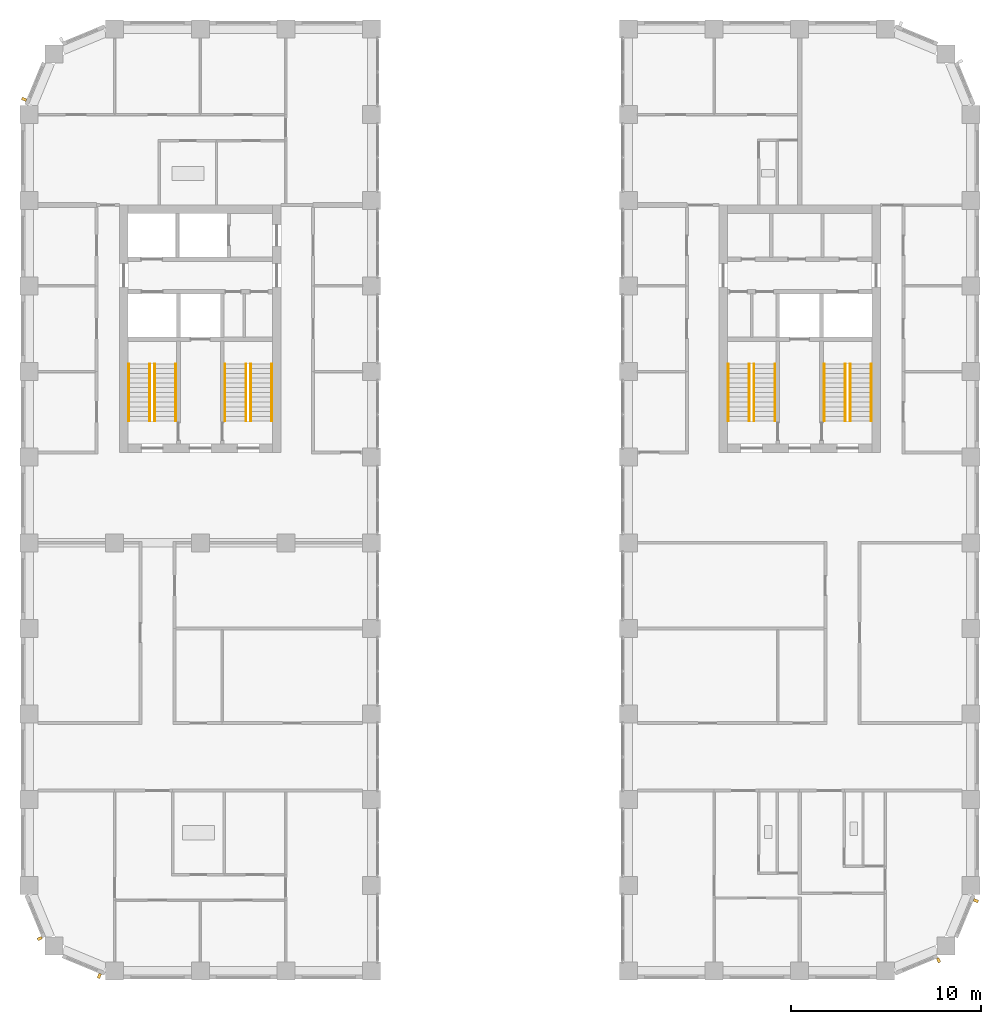
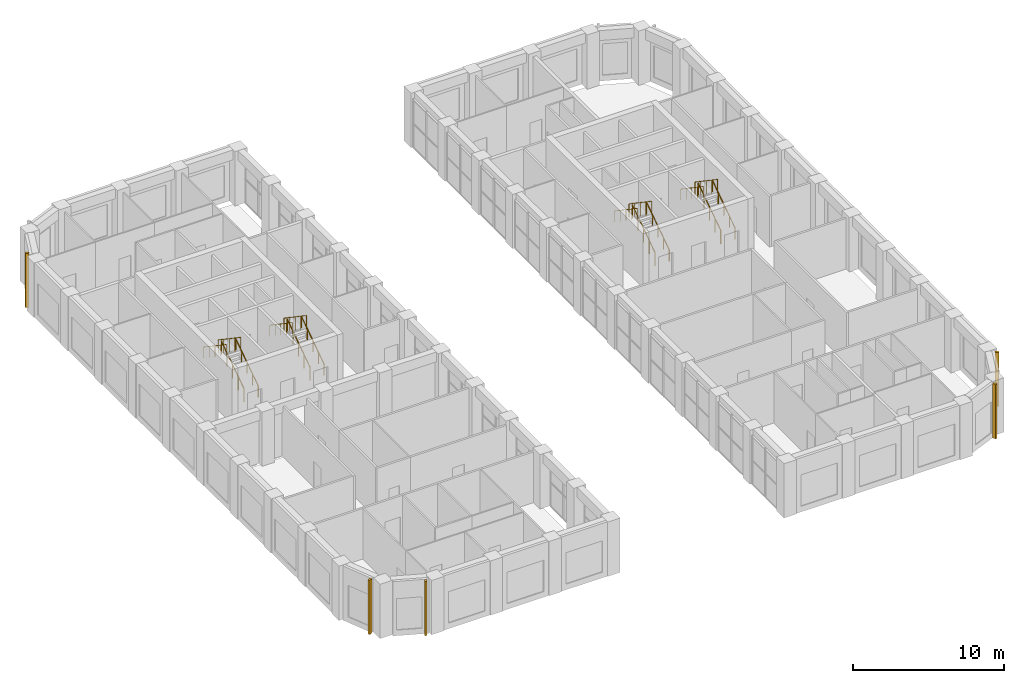
# One storey, part 17 of 19: 16 railings, 5 shading devices.
"""IFC4 building model written with IfcOpenShell, lengths in metres."""

from ifc_helpers import new_model, si_unit, direction, frame, origin, origin_2d, place, context, subcontext, project, spatial, rectangle, circle, extrude, material, type_object, element, save


model = new_model("IFC4")

# Units and contexts
model_context = context("Model", 3, precision=1e-05, world=origin(), true_north=direction((0.0, 1.0)))
body_context = subcontext(model_context, "Body", "Model", "MODEL_VIEW")
ifc_project = project(units=[si_unit("LENGTHUNIT", "METRE"), si_unit("AREAUNIT", "SQUARE_METRE"), si_unit("VOLUMEUNIT", "CUBIC_METRE"), si_unit("PLANEANGLEUNIT", "RADIAN"), si_unit("MASSUNIT", "GRAM", prefix="KILO")], contexts=[model_context])

# Site, building, storey
site_placement = place(None, origin())
site = spatial("IfcSite", under=ifc_project, at=site_placement, CompositionType="ELEMENT")
building_placement = place(site_placement, origin())
building = spatial("IfcBuilding", under=site, at=building_placement, Name="Girih Gate Residences", CompositionType="ELEMENT")
storey_placement = place(building_placement, frame((0.0, 0.0, 163.800048828125)))
storey = spatial("IfcBuildingStorey", under=building, at=storey_placement, Name="L45", CompositionType="ELEMENT", Elevation=163.800048828125)

# Shading devices
ifc_material_1 = material(Name="Precast concrete C50/60", Category="concrete")
shading_device_type = type_object("IfcShadingDeviceType", Name="Corner rib 150x250", PredefinedType="USERDEFINED", material=ifc_material_1)
for number, where, z_axis, x_axis, name in (
    (1, (-0.260498046875, 45.808349609375, 0.0), (0.0, 0.0, 1.0), (-0.382683432365, -0.923879532511, 0.0), "Corner rib NW0013_0482.0"),
    (2, (0.562255859375, 1.705322265625, 0.0), (0.0, 0.0, 1.0), (0.382683432365, -0.923879532511, 0.0), "Corner rib SW0000_0045.0"),
    (3, (3.691650390625, -0.260498046875, 0.0), (0.0, 0.0, 1.0), (0.923879532511, -0.382683432365, 0.0), "Corner rib SW0013_0013.0"),
    (4, (47.794677734375, 0.562255859375, 0.0), (0.0, 0.0, 1.0), (0.923879532511, 0.382683432365, 0.0), "Corner rib SE0450_0000.0"),
    (5, (49.760498046875, 3.691650390625, 0.0), (0.0, 0.0, 1.0), (0.382683432365, 0.923879532511, 0.0), "Corner rib SE0482_0013.0"),
):
    element("IfcShadingDevice", number, at=place(storey_placement, frame(where, z_axis=z_axis, x_axis=x_axis)), inside=storey, type_object=shading_device_type, Name=name, ObjectType="FIN", PredefinedType="USERDEFINED", context=body_context, shape_type="SweptSolid", body=[
        extrude(rectangle(XDim=0.14990234375, YDim=0.25, at=origin_2d()), origin(), (0.0, 0.0, 1.0), 4.39990234375),
    ])

# Railings
ifc_material_2 = material(Name="Stainless steel", Category="steel")
railing_type_1 = type_object("IfcRailingType", Name="Stair guard 1100", PredefinedType="GUARDRAIL", material=ifc_material_2)
railing_1_placement = place(storey_placement, frame((6.60009765625, 28.89990234375, 0.169189453125)))
element("IfcRailing", 6, at=railing_1_placement, inside=storey, type_object=railing_type_1, Name="L45 ST-W1 stair guard 1", PredefinedType="GUARDRAIL", context=body_context, shape_type="SweptSolid", body=[
    extrude(circle(Radius=0.02392578125, at=origin_2d()), frame((0.0, 0.0, 1.076171875), z_axis=(0.0, 0.828110434718, 0.560564989908), x_axis=(-1.0, 0.0, 0.0)), (0.0, 0.0, 1.0), 3.622802734375),
    extrude(circle(Radius=0.02099609375, at=origin_2d()), origin(), (0.0, 0.0, 1.0), 1.052001953125),
    extrude(circle(Radius=0.02099609375, at=origin_2d()), frame((0.0, 0.75, 0.5078125)), (0.0, 0.0, 1.0), 1.052001953125),
    extrude(circle(Radius=0.02099609375, at=origin_2d()), frame((0.0, 1.5, 1.015380859375)), (0.0, 0.0, 1.0), 1.052001953125),
    extrude(circle(Radius=0.02099609375, at=origin_2d()), frame((0.0, 2.25, 1.52294921875)), (0.0, 0.0, 1.0), 1.052001953125),
    extrude(circle(Radius=0.02099609375, at=origin_2d()), frame((0.0, 3.0, 2.03076171875)), (0.0, 0.0, 1.0), 1.052001953125),
])
railing_2_placement = place(storey_placement, frame((6.35009765625, 31.89990234375, 2.369140625)))
element("IfcRailing", 7, at=railing_2_placement, inside=storey, type_object=railing_type_1, Name="L45 ST-W1 stair guard 2", PredefinedType="GUARDRAIL", context=body_context, shape_type="SweptSolid", body=[
    extrude(circle(Radius=0.02392578125, at=origin_2d()), frame((0.0, 0.0, 1.076171875), z_axis=(0.0, -0.828110434718, 0.560564989908), x_axis=(1.0, 0.0, 0.0)), (0.0, 0.0, 1.0), 3.622802734375),
    extrude(circle(Radius=0.02099609375, at=origin_2d()), origin(), (0.0, 0.0, 1.0), 1.052001953125),
    extrude(circle(Radius=0.02099609375, at=origin_2d()), frame((0.0, -0.75, 0.5078125)), (0.0, 0.0, 1.0), 1.052001953125),
    extrude(circle(Radius=0.02099609375, at=origin_2d()), frame((0.0, -1.5, 1.015380859375)), (0.0, 0.0, 1.0), 1.052001953125),
    extrude(circle(Radius=0.02099609375, at=origin_2d()), frame((0.0, -2.25, 1.52294921875)), (0.0, 0.0, 1.0), 1.052001953125),
    extrude(circle(Radius=0.02099609375, at=origin_2d()), frame((0.0, -3.0, 2.03076171875)), (0.0, 0.0, 1.0), 1.052001953125),
])
railing_3_placement = place(storey_placement, frame((11.64990234375, 28.89990234375, 0.169189453125)))
element("IfcRailing", 8, at=railing_3_placement, inside=storey, type_object=railing_type_1, Name="L45 ST-W2 stair guard 1", PredefinedType="GUARDRAIL", context=body_context, shape_type="SweptSolid", body=[
    extrude(circle(Radius=0.02392578125, at=origin_2d()), frame((0.0, 0.0, 1.076171875), z_axis=(0.0, 0.828110434718, 0.560564989908), x_axis=(-1.0, 0.0, 0.0)), (0.0, 0.0, 1.0), 3.622802734375),
    extrude(circle(Radius=0.02099609375, at=origin_2d()), origin(), (0.0, 0.0, 1.0), 1.052001953125),
    extrude(circle(Radius=0.02099609375, at=origin_2d()), frame((0.0, 0.75, 0.5078125)), (0.0, 0.0, 1.0), 1.052001953125),
    extrude(circle(Radius=0.02099609375, at=origin_2d()), frame((0.0, 1.5, 1.015380859375)), (0.0, 0.0, 1.0), 1.052001953125),
    extrude(circle(Radius=0.02099609375, at=origin_2d()), frame((0.0, 2.25, 1.52294921875)), (0.0, 0.0, 1.0), 1.052001953125),
    extrude(circle(Radius=0.02099609375, at=origin_2d()), frame((0.0, 3.0, 2.03076171875)), (0.0, 0.0, 1.0), 1.052001953125),
])
railing_4_placement = place(storey_placement, frame((11.39990234375, 31.89990234375, 2.369140625)))
element("IfcRailing", 9, at=railing_4_placement, inside=storey, type_object=railing_type_1, Name="L45 ST-W2 stair guard 2", PredefinedType="GUARDRAIL", context=body_context, shape_type="SweptSolid", body=[
    extrude(circle(Radius=0.02392578125, at=origin_2d()), frame((0.0, 0.0, 1.076171875), z_axis=(0.0, -0.828110434718, 0.560564989908), x_axis=(1.0, 0.0, 0.0)), (0.0, 0.0, 1.0), 3.622802734375),
    extrude(circle(Radius=0.02099609375, at=origin_2d()), origin(), (0.0, 0.0, 1.0), 1.052001953125),
    extrude(circle(Radius=0.02099609375, at=origin_2d()), frame((0.0, -0.75, 0.5078125)), (0.0, 0.0, 1.0), 1.052001953125),
    extrude(circle(Radius=0.02099609375, at=origin_2d()), frame((0.0, -1.5, 1.015380859375)), (0.0, 0.0, 1.0), 1.052001953125),
    extrude(circle(Radius=0.02099609375, at=origin_2d()), frame((0.0, -2.25, 1.52294921875)), (0.0, 0.0, 1.0), 1.052001953125),
    extrude(circle(Radius=0.02099609375, at=origin_2d()), frame((0.0, -3.0, 2.03076171875)), (0.0, 0.0, 1.0), 1.052001953125),
])
railing_5_placement = place(storey_placement, frame((43.14990234375, 28.89990234375, 0.169189453125)))
element("IfcRailing", 10, at=railing_5_placement, inside=storey, type_object=railing_type_1, Name="L45 ST-E1 stair guard 1", PredefinedType="GUARDRAIL", context=body_context, shape_type="SweptSolid", body=[
    extrude(circle(Radius=0.02392578125, at=origin_2d()), frame((0.0, 0.0, 1.076171875), z_axis=(0.0, 0.828110434718, 0.560564989908), x_axis=(-1.0, 0.0, 0.0)), (0.0, 0.0, 1.0), 3.622802734375),
    extrude(circle(Radius=0.02099609375, at=origin_2d()), origin(), (0.0, 0.0, 1.0), 1.052001953125),
    extrude(circle(Radius=0.02099609375, at=origin_2d()), frame((0.0, 0.75, 0.5078125)), (0.0, 0.0, 1.0), 1.052001953125),
    extrude(circle(Radius=0.02099609375, at=origin_2d()), frame((0.0, 1.5, 1.015380859375)), (0.0, 0.0, 1.0), 1.052001953125),
    extrude(circle(Radius=0.02099609375, at=origin_2d()), frame((0.0, 2.25, 1.52294921875)), (0.0, 0.0, 1.0), 1.052001953125),
    extrude(circle(Radius=0.02099609375, at=origin_2d()), frame((0.0, 3.0, 2.03076171875)), (0.0, 0.0, 1.0), 1.052001953125),
])
railing_6_placement = place(storey_placement, frame((42.89990234375, 31.89990234375, 2.369140625)))
element("IfcRailing", 11, at=railing_6_placement, inside=storey, type_object=railing_type_1, Name="L45 ST-E1 stair guard 2", PredefinedType="GUARDRAIL", context=body_context, shape_type="SweptSolid", body=[
    extrude(circle(Radius=0.02392578125, at=origin_2d()), frame((0.0, 0.0, 1.076171875), z_axis=(0.0, -0.828110434718, 0.560564989908), x_axis=(1.0, 0.0, 0.0)), (0.0, 0.0, 1.0), 3.622802734375),
    extrude(circle(Radius=0.02099609375, at=origin_2d()), origin(), (0.0, 0.0, 1.0), 1.052001953125),
    extrude(circle(Radius=0.02099609375, at=origin_2d()), frame((0.0, -0.75, 0.5078125)), (0.0, 0.0, 1.0), 1.052001953125),
    extrude(circle(Radius=0.02099609375, at=origin_2d()), frame((0.0, -1.5, 1.015380859375)), (0.0, 0.0, 1.0), 1.052001953125),
    extrude(circle(Radius=0.02099609375, at=origin_2d()), frame((0.0, -2.25, 1.52294921875)), (0.0, 0.0, 1.0), 1.052001953125),
    extrude(circle(Radius=0.02099609375, at=origin_2d()), frame((0.0, -3.0, 2.03076171875)), (0.0, 0.0, 1.0), 1.052001953125),
])
railing_7_placement = place(storey_placement, frame((38.10009765625, 28.89990234375, 0.169189453125)))
element("IfcRailing", 12, at=railing_7_placement, inside=storey, type_object=railing_type_1, Name="L45 ST-E2 stair guard 1", PredefinedType="GUARDRAIL", context=body_context, shape_type="SweptSolid", body=[
    extrude(circle(Radius=0.02392578125, at=origin_2d()), frame((0.0, 0.0, 1.076171875), z_axis=(0.0, 0.828110434718, 0.560564989908), x_axis=(-1.0, 0.0, 0.0)), (0.0, 0.0, 1.0), 3.622802734375),
    extrude(circle(Radius=0.02099609375, at=origin_2d()), origin(), (0.0, 0.0, 1.0), 1.052001953125),
    extrude(circle(Radius=0.02099609375, at=origin_2d()), frame((0.0, 0.75, 0.5078125)), (0.0, 0.0, 1.0), 1.052001953125),
    extrude(circle(Radius=0.02099609375, at=origin_2d()), frame((0.0, 1.5, 1.015380859375)), (0.0, 0.0, 1.0), 1.052001953125),
    extrude(circle(Radius=0.02099609375, at=origin_2d()), frame((0.0, 2.25, 1.52294921875)), (0.0, 0.0, 1.0), 1.052001953125),
    extrude(circle(Radius=0.02099609375, at=origin_2d()), frame((0.0, 3.0, 2.03076171875)), (0.0, 0.0, 1.0), 1.052001953125),
])
railing_8_placement = place(storey_placement, frame((37.85009765625, 31.89990234375, 2.369140625)))
element("IfcRailing", 13, at=railing_8_placement, inside=storey, type_object=railing_type_1, Name="L45 ST-E2 stair guard 2", PredefinedType="GUARDRAIL", context=body_context, shape_type="SweptSolid", body=[
    extrude(circle(Radius=0.02392578125, at=origin_2d()), frame((0.0, 0.0, 1.076171875), z_axis=(0.0, -0.828110434718, 0.560564989908), x_axis=(1.0, 0.0, 0.0)), (0.0, 0.0, 1.0), 3.622802734375),
    extrude(circle(Radius=0.02099609375, at=origin_2d()), origin(), (0.0, 0.0, 1.0), 1.052001953125),
    extrude(circle(Radius=0.02099609375, at=origin_2d()), frame((0.0, -0.75, 0.5078125)), (0.0, 0.0, 1.0), 1.052001953125),
    extrude(circle(Radius=0.02099609375, at=origin_2d()), frame((0.0, -1.5, 1.015380859375)), (0.0, 0.0, 1.0), 1.052001953125),
    extrude(circle(Radius=0.02099609375, at=origin_2d()), frame((0.0, -2.25, 1.52294921875)), (0.0, 0.0, 1.0), 1.052001953125),
    extrude(circle(Radius=0.02099609375, at=origin_2d()), frame((0.0, -3.0, 2.03076171875)), (0.0, 0.0, 1.0), 1.052001953125),
])
railing_type_2 = type_object("IfcRailingType", Name="Stair handrail 900", PredefinedType="HANDRAIL", material=ifc_material_2)
railing_9_placement = place(storey_placement, frame((7.699951171875, 28.89990234375, 0.169189453125)))
element("IfcRailing", 14, at=railing_9_placement, inside=storey, type_object=railing_type_2, Name="L45 ST-W1 stair handrail 1", PredefinedType="HANDRAIL", context=body_context, shape_type="SweptSolid", body=[
    extrude(circle(Radius=0.02392578125, at=origin_2d()), frame((0.0, 0.0, 0.8857421875), z_axis=(0.0, 0.828110434718, 0.560564989908), x_axis=(-1.0, 0.0, 0.0)), (0.0, 0.0, 1.0), 3.622802734375),
    extrude(circle(Radius=0.02099609375, at=origin_2d()), origin(), (0.0, 0.0, 1.0), 0.86181640625),
    extrude(circle(Radius=0.02099609375, at=origin_2d()), frame((0.0, 0.75, 0.5078125)), (0.0, 0.0, 1.0), 0.86181640625),
    extrude(circle(Radius=0.02099609375, at=origin_2d()), frame((0.0, 1.5, 1.015380859375)), (0.0, 0.0, 1.0), 0.86181640625),
    extrude(circle(Radius=0.02099609375, at=origin_2d()), frame((0.0, 2.25, 1.52294921875)), (0.0, 0.0, 1.0), 0.86181640625),
    extrude(circle(Radius=0.02099609375, at=origin_2d()), frame((0.0, 3.0, 2.03076171875)), (0.0, 0.0, 1.0), 0.86181640625),
])
railing_10_placement = place(storey_placement, frame((5.25, 31.89990234375, 2.369140625)))
element("IfcRailing", 15, at=railing_10_placement, inside=storey, type_object=railing_type_2, Name="L45 ST-W1 stair handrail 2", PredefinedType="HANDRAIL", context=body_context, shape_type="SweptSolid", body=[
    extrude(circle(Radius=0.02392578125, at=origin_2d()), frame((0.0, 0.0, 0.8857421875), z_axis=(0.0, -0.828110434718, 0.560564989908), x_axis=(1.0, 0.0, 0.0)), (0.0, 0.0, 1.0), 3.622802734375),
    extrude(circle(Radius=0.02099609375, at=origin_2d()), origin(), (0.0, 0.0, 1.0), 0.86181640625),
    extrude(circle(Radius=0.02099609375, at=origin_2d()), frame((0.0, -0.75, 0.5078125)), (0.0, 0.0, 1.0), 0.86181640625),
    extrude(circle(Radius=0.02099609375, at=origin_2d()), frame((0.0, -1.5, 1.015380859375)), (0.0, 0.0, 1.0), 0.86181640625),
    extrude(circle(Radius=0.02099609375, at=origin_2d()), frame((0.0, -2.25, 1.52294921875)), (0.0, 0.0, 1.0), 0.86181640625),
    extrude(circle(Radius=0.02099609375, at=origin_2d()), frame((0.0, -3.0, 2.03076171875)), (0.0, 0.0, 1.0), 0.86181640625),
])
railing_11_placement = place(storey_placement, frame((12.75, 28.89990234375, 0.169189453125)))
element("IfcRailing", 16, at=railing_11_placement, inside=storey, type_object=railing_type_2, Name="L45 ST-W2 stair handrail 1", PredefinedType="HANDRAIL", context=body_context, shape_type="SweptSolid", body=[
    extrude(circle(Radius=0.02392578125, at=origin_2d()), frame((0.0, 0.0, 0.8857421875), z_axis=(0.0, 0.828110434718, 0.560564989908), x_axis=(-1.0, 0.0, 0.0)), (0.0, 0.0, 1.0), 3.622802734375),
    extrude(circle(Radius=0.02099609375, at=origin_2d()), origin(), (0.0, 0.0, 1.0), 0.86181640625),
    extrude(circle(Radius=0.02099609375, at=origin_2d()), frame((0.0, 0.75, 0.5078125)), (0.0, 0.0, 1.0), 0.86181640625),
    extrude(circle(Radius=0.02099609375, at=origin_2d()), frame((0.0, 1.5, 1.015380859375)), (0.0, 0.0, 1.0), 0.86181640625),
    extrude(circle(Radius=0.02099609375, at=origin_2d()), frame((0.0, 2.25, 1.52294921875)), (0.0, 0.0, 1.0), 0.86181640625),
    extrude(circle(Radius=0.02099609375, at=origin_2d()), frame((0.0, 3.0, 2.03076171875)), (0.0, 0.0, 1.0), 0.86181640625),
])
railing_12_placement = place(storey_placement, frame((10.300048828125, 31.89990234375, 2.369140625)))
element("IfcRailing", 17, at=railing_12_placement, inside=storey, type_object=railing_type_2, Name="L45 ST-W2 stair handrail 2", PredefinedType="HANDRAIL", context=body_context, shape_type="SweptSolid", body=[
    extrude(circle(Radius=0.02392578125, at=origin_2d()), frame((0.0, 0.0, 0.8857421875), z_axis=(0.0, -0.828110434718, 0.560564989908), x_axis=(1.0, 0.0, 0.0)), (0.0, 0.0, 1.0), 3.622802734375),
    extrude(circle(Radius=0.02099609375, at=origin_2d()), origin(), (0.0, 0.0, 1.0), 0.86181640625),
    extrude(circle(Radius=0.02099609375, at=origin_2d()), frame((0.0, -0.75, 0.5078125)), (0.0, 0.0, 1.0), 0.86181640625),
    extrude(circle(Radius=0.02099609375, at=origin_2d()), frame((0.0, -1.5, 1.015380859375)), (0.0, 0.0, 1.0), 0.86181640625),
    extrude(circle(Radius=0.02099609375, at=origin_2d()), frame((0.0, -2.25, 1.52294921875)), (0.0, 0.0, 1.0), 0.86181640625),
    extrude(circle(Radius=0.02099609375, at=origin_2d()), frame((0.0, -3.0, 2.03076171875)), (0.0, 0.0, 1.0), 0.86181640625),
])
railing_13_placement = place(storey_placement, frame((44.25, 28.89990234375, 0.169189453125)))
element("IfcRailing", 18, at=railing_13_placement, inside=storey, type_object=railing_type_2, Name="L45 ST-E1 stair handrail 1", PredefinedType="HANDRAIL", context=body_context, shape_type="SweptSolid", body=[
    extrude(circle(Radius=0.02392578125, at=origin_2d()), frame((0.0, 0.0, 0.8857421875), z_axis=(0.0, 0.828110434718, 0.560564989908), x_axis=(-1.0, 0.0, 0.0)), (0.0, 0.0, 1.0), 3.622802734375),
    extrude(circle(Radius=0.02099609375, at=origin_2d()), origin(), (0.0, 0.0, 1.0), 0.86181640625),
    extrude(circle(Radius=0.02099609375, at=origin_2d()), frame((0.0, 0.75, 0.5078125)), (0.0, 0.0, 1.0), 0.86181640625),
    extrude(circle(Radius=0.02099609375, at=origin_2d()), frame((0.0, 1.5, 1.015380859375)), (0.0, 0.0, 1.0), 0.86181640625),
    extrude(circle(Radius=0.02099609375, at=origin_2d()), frame((0.0, 2.25, 1.52294921875)), (0.0, 0.0, 1.0), 0.86181640625),
    extrude(circle(Radius=0.02099609375, at=origin_2d()), frame((0.0, 3.0, 2.03076171875)), (0.0, 0.0, 1.0), 0.86181640625),
])
railing_14_placement = place(storey_placement, frame((41.800048828125, 31.89990234375, 2.369140625)))
element("IfcRailing", 19, at=railing_14_placement, inside=storey, type_object=railing_type_2, Name="L45 ST-E1 stair handrail 2", PredefinedType="HANDRAIL", context=body_context, shape_type="SweptSolid", body=[
    extrude(circle(Radius=0.02392578125, at=origin_2d()), frame((0.0, 0.0, 0.8857421875), z_axis=(0.0, -0.828110434718, 0.560564989908), x_axis=(1.0, 0.0, 0.0)), (0.0, 0.0, 1.0), 3.622802734375),
    extrude(circle(Radius=0.02099609375, at=origin_2d()), origin(), (0.0, 0.0, 1.0), 0.86181640625),
    extrude(circle(Radius=0.02099609375, at=origin_2d()), frame((0.0, -0.75, 0.5078125)), (0.0, 0.0, 1.0), 0.86181640625),
    extrude(circle(Radius=0.02099609375, at=origin_2d()), frame((0.0, -1.5, 1.015380859375)), (0.0, 0.0, 1.0), 0.86181640625),
    extrude(circle(Radius=0.02099609375, at=origin_2d()), frame((0.0, -2.25, 1.52294921875)), (0.0, 0.0, 1.0), 0.86181640625),
    extrude(circle(Radius=0.02099609375, at=origin_2d()), frame((0.0, -3.0, 2.03076171875)), (0.0, 0.0, 1.0), 0.86181640625),
])
railing_15_placement = place(storey_placement, frame((39.199951171875, 28.89990234375, 0.169189453125)))
element("IfcRailing", 20, at=railing_15_placement, inside=storey, type_object=railing_type_2, Name="L45 ST-E2 stair handrail 1", PredefinedType="HANDRAIL", context=body_context, shape_type="SweptSolid", body=[
    extrude(circle(Radius=0.02392578125, at=origin_2d()), frame((0.0, 0.0, 0.8857421875), z_axis=(0.0, 0.828110434718, 0.560564989908), x_axis=(-1.0, 0.0, 0.0)), (0.0, 0.0, 1.0), 3.622802734375),
    extrude(circle(Radius=0.02099609375, at=origin_2d()), origin(), (0.0, 0.0, 1.0), 0.86181640625),
    extrude(circle(Radius=0.02099609375, at=origin_2d()), frame((0.0, 0.75, 0.5078125)), (0.0, 0.0, 1.0), 0.86181640625),
    extrude(circle(Radius=0.02099609375, at=origin_2d()), frame((0.0, 1.5, 1.015380859375)), (0.0, 0.0, 1.0), 0.86181640625),
    extrude(circle(Radius=0.02099609375, at=origin_2d()), frame((0.0, 2.25, 1.52294921875)), (0.0, 0.0, 1.0), 0.86181640625),
    extrude(circle(Radius=0.02099609375, at=origin_2d()), frame((0.0, 3.0, 2.03076171875)), (0.0, 0.0, 1.0), 0.86181640625),
])
railing_16_placement = place(storey_placement, frame((36.75, 31.89990234375, 2.369140625)))
element("IfcRailing", 21, at=railing_16_placement, inside=storey, type_object=railing_type_2, Name="L45 ST-E2 stair handrail 2", PredefinedType="HANDRAIL", context=body_context, shape_type="SweptSolid", body=[
    extrude(circle(Radius=0.02392578125, at=origin_2d()), frame((0.0, 0.0, 0.8857421875), z_axis=(0.0, -0.828110434718, 0.560564989908), x_axis=(1.0, 0.0, 0.0)), (0.0, 0.0, 1.0), 3.622802734375),
    extrude(circle(Radius=0.02099609375, at=origin_2d()), origin(), (0.0, 0.0, 1.0), 0.86181640625),
    extrude(circle(Radius=0.02099609375, at=origin_2d()), frame((0.0, -0.75, 0.5078125)), (0.0, 0.0, 1.0), 0.86181640625),
    extrude(circle(Radius=0.02099609375, at=origin_2d()), frame((0.0, -1.5, 1.015380859375)), (0.0, 0.0, 1.0), 0.86181640625),
    extrude(circle(Radius=0.02099609375, at=origin_2d()), frame((0.0, -2.25, 1.52294921875)), (0.0, 0.0, 1.0), 0.86181640625),
    extrude(circle(Radius=0.02099609375, at=origin_2d()), frame((0.0, -3.0, 2.03076171875)), (0.0, 0.0, 1.0), 0.86181640625),
])

save(model, "model.ifc")
